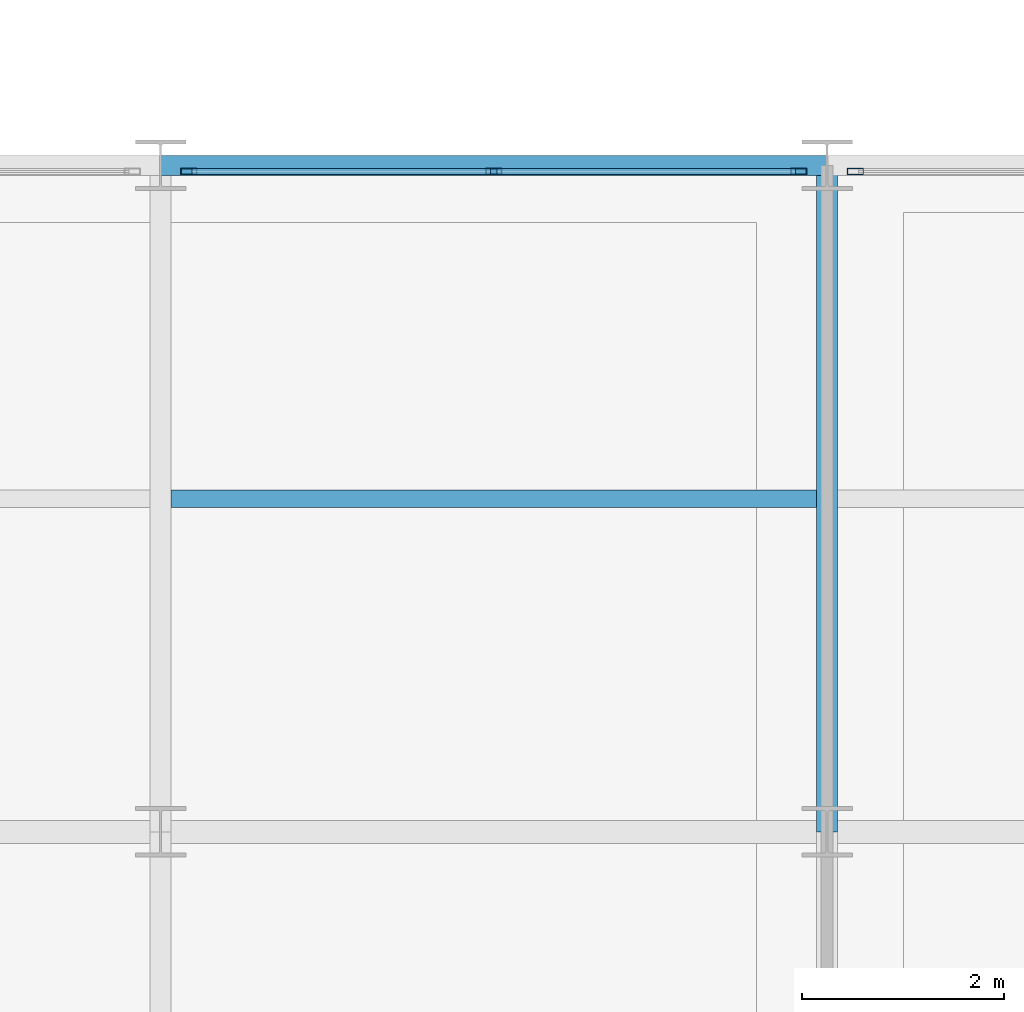
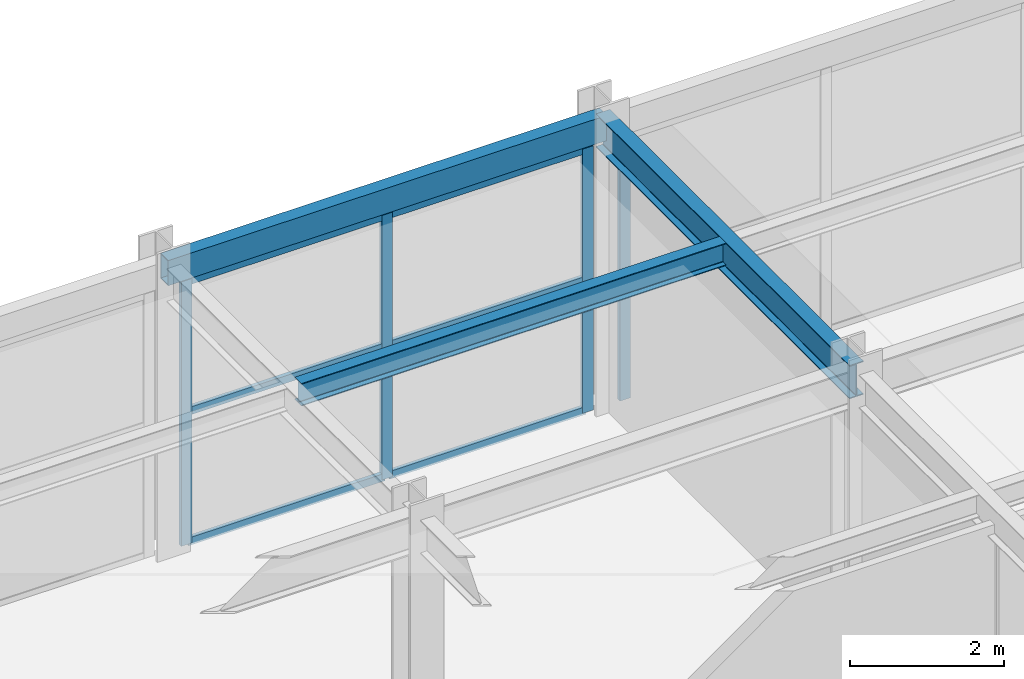
# One storey, part 94 of 144: 10 members, 3 beams, 2 elements without a shape of their own.
"""IFC4 building model written with IfcOpenShell, lengths in metres."""

from ifc_helpers import new_model, si_unit, direction, frame, origin, origin_2d, place, context, subcontext, project, spatial, hollow_rectangle, i_section, extrude, material, material_profile, profile_set, type_object, element, aggregate, save


model = new_model("IFC4")

# Units and contexts
model_context = context("Model", 3, precision=1e-05, world=origin(), true_north=direction((0.0, 1.0)))
body_context = subcontext(model_context, "Body", "Model", "MODEL_VIEW")
ifc_project = project(units=[si_unit("LENGTHUNIT", "METRE"), si_unit("AREAUNIT", "SQUARE_METRE"), si_unit("VOLUMEUNIT", "CUBIC_METRE"), si_unit("PLANEANGLEUNIT", "RADIAN"), si_unit("MASSUNIT", "GRAM", prefix="KILO")], contexts=[model_context])

# Site, building, storey
site_placement = place(None, origin())
site = spatial("IfcSite", under=ifc_project, at=site_placement, CompositionType="ELEMENT")
building_placement = place(site_placement, origin())
building = spatial("IfcBuilding", under=site, at=building_placement, Name="Karori Crest Natural Sciences Institute", CompositionType="ELEMENT")
storey_placement = place(building_placement, origin())
storey = spatial("IfcBuildingStorey", under=building, at=storey_placement, Name="L00", CompositionType="ELEMENT", Elevation=0.0)

# Beams
ifc_material_1 = material(Name="Structural steel AS/NZS 3679.1 Grade 350", Category="steel")
ifc_material_profile_1 = material_profile(ifc_material_1, i_section(OverallWidth=0.208984375, OverallDepth=0.532958984375, WebThickness=0.01025390625, FlangeThickness=0.015625, FilletRadius=0.013916015625, at=origin_2d()), Name="530UB92.4")
ifc_profile_set_1 = profile_set([ifc_material_profile_1], Name="Structural steel AS/NZS 3679.1 Grade 350")
beam_type_1 = type_object("IfcBeamType", Name="BT-05", PredefinedType="BEAM", material=ifc_profile_set_1)
beam_1_placement = place(storey_placement, frame((143.199951171875, 14.0, 4.353515625), z_axis=(0.0, 1.0, 0.0), x_axis=(-1.0, 0.0, 0.0)))
element("IfcBeam", 1, at=beam_1_placement, inside=storey, type_object=beam_type_1, Name="Beam B-2075", PredefinedType="BEAM", context=body_context, shape_type="SweptSolid", body=[
    extrude(i_section(OverallWidth=0.208984375, OverallDepth=0.532958984375, WebThickness=0.01025390625, FlangeThickness=0.015625, FilletRadius=0.013916015625, at=origin_2d()), origin(), (0.0, 0.0, 1.0), 6.60009765625),
])
ifc_material_profile_2 = material_profile(ifc_material_1, i_section(OverallWidth=0.172119140625, OverallDepth=0.35888671875, WebThickness=0.008056640625, FlangeThickness=0.012939453125, FilletRadius=0.010986328125, at=origin_2d()), Name="360UB56.7")
ifc_profile_set_2 = profile_set([ifc_material_profile_2], Name="Structural steel AS/NZS 3679.1 Grade 350")
beam_type_2 = type_object("IfcBeamType", Name="BT-08", PredefinedType="BEAM", material=ifc_profile_set_2)
beam_2_placement = place(storey_placement, frame((136.70458984375, 17.300048828125, 4.4404296875), z_axis=(1.0, 0.0, 0.0), x_axis=(0.0, 1.0, 0.0)))
element("IfcBeam", 2, at=beam_2_placement, inside=storey, type_object=beam_type_2, Name="Beam B-2099", PredefinedType="BEAM", context=body_context, shape_type="SweptSolid", body=[
    extrude(i_section(OverallWidth=0.172119140625, OverallDepth=0.35888671875, WebThickness=0.008056640625, FlangeThickness=0.012939453125, FilletRadius=0.010986328125, at=origin_2d()), origin(), (0.0, 0.0, 1.0), 6.390869140625),
])
ifc_material_2 = material(Name="Hollow structural steel AS/NZS 1163 Grade C350", Category="steel")
ifc_material_profile_3 = material_profile(ifc_material_2, hollow_rectangle(XDim=0.199951171875, YDim=0.39990234375, WallThickness=0.012451171875, at=origin_2d()), Name="RHS400x200x12.5")
ifc_profile_set_3 = profile_set([ifc_material_profile_3], Name="Hollow structural steel AS/NZS 1163 Grade C350")
beam_type_3 = type_object("IfcBeamType", Name="BT-14", PredefinedType="SPANDREL", material=ifc_profile_set_3)
beam_3_placement = place(storey_placement, frame((136.60009765625, 20.60009765625, 4.419921875), z_axis=(1.0, 0.0, 0.0), x_axis=(0.0, 1.0, 0.0)))
element("IfcBeam", 3, at=beam_3_placement, inside=storey, type_object=beam_type_3, Name="Beam B-2051", PredefinedType="SPANDREL", context=body_context, shape_type="SweptSolid", body=[
    extrude(hollow_rectangle(XDim=0.199951171875, YDim=0.39990234375, WallThickness=0.012451171875, at=origin_2d()), origin(), (0.0, 0.0, 1.0), 6.599853515625),
])

# Curtain wall, members
ifc_material_3 = material(Name="Anodised architectural aluminium 6063-T6", Category="aluminium")
curtain_wall_type = type_object("IfcCurtainWallType", Name="CWT-20", PredefinedType="NOTDEFINED", material=ifc_material_3)
curtain_wall_1_placement = place(storey_placement, origin())
curtain_wall_1 = element("IfcCurtainWall", 4, at=curtain_wall_1_placement, inside=storey, type_object=curtain_wall_type, Name="Curtain wall CW-0300", PredefinedType="NOTDEFINED")
ifc_material_profile_4 = material_profile(ifc_material_3, hollow_rectangle(XDim=0.06494140625, YDim=0.159912109375, WallThickness=0.00390625, at=origin_2d()), Name="CWM160x65x4")
ifc_profile_set_4 = profile_set([ifc_material_profile_4], Name="Anodised architectural aluminium 6063-T6")
member_type_1 = type_object("IfcMemberType", Name="CWM-01", PredefinedType="MULLION", material=ifc_profile_set_4)
member_1_placement = place(storey_placement, frame((136.880615234375, 20.5400390625, 0.0), z_axis=(0.0, 0.0, 1.0), x_axis=(0.0, 1.0, 0.0)))
member_1 = element("IfcMember", 5, at=member_1_placement, type_object=member_type_1, Name="CW-0300 mullion 1", PredefinedType="MULLION", context=body_context, shape_type="SweptSolid", body=[
    extrude(hollow_rectangle(XDim=0.06494140625, YDim=0.159912109375, WallThickness=0.00390625, at=origin_2d()), origin(), (0.0, 0.0, 1.0), 4.205078125),
])
member_2_placement = place(storey_placement, frame((139.89990234375, 20.5400390625, 0.0), z_axis=(0.0, 0.0, 1.0), x_axis=(0.0, 1.0, 0.0)))
member_2 = element("IfcMember", 6, at=member_2_placement, type_object=member_type_1, Name="CW-0300 mullion 2", PredefinedType="MULLION", context=body_context, shape_type="SweptSolid", body=[
    extrude(hollow_rectangle(XDim=0.06494140625, YDim=0.159912109375, WallThickness=0.00390625, at=origin_2d()), origin(), (0.0, 0.0, 1.0), 4.205078125),
])
member_3_placement = place(storey_placement, frame((142.91943359375, 20.5400390625, 0.0), z_axis=(0.0, 0.0, 1.0), x_axis=(0.0, 1.0, 0.0)))
member_3 = element("IfcMember", 7, at=member_3_placement, type_object=member_type_1, Name="CW-0300 mullion 3", PredefinedType="MULLION", context=body_context, shape_type="SweptSolid", body=[
    extrude(hollow_rectangle(XDim=0.06494140625, YDim=0.159912109375, WallThickness=0.00390625, at=origin_2d()), origin(), (0.0, 0.0, 1.0), 4.205078125),
])

# Curtain wall, member
curtain_wall_2_placement = place(storey_placement, origin())
curtain_wall_2 = element("IfcCurtainWall", 8, at=curtain_wall_2_placement, inside=storey, type_object=curtain_wall_type, Name="Curtain wall CW-0301", PredefinedType="NOTDEFINED")
member_4_placement = place(storey_placement, frame((143.48046875, 20.5400390625, 0.0), z_axis=(0.0, 0.0, 1.0), x_axis=(0.0, 1.0, 0.0)))
member_4 = element("IfcMember", 9, at=member_4_placement, type_object=member_type_1, Name="CW-0301 mullion 1", PredefinedType="MULLION", context=body_context, shape_type="SweptSolid", body=[
    extrude(hollow_rectangle(XDim=0.06494140625, YDim=0.159912109375, WallThickness=0.00390625, at=origin_2d()), origin(), (0.0, 0.0, 1.0), 4.205078125),
])
aggregate(curtain_wall_2, [member_4])

# Member
ifc_material_profile_5 = material_profile(ifc_material_3, hollow_rectangle(XDim=0.06005859375, YDim=0.1201171875, WallThickness=0.00390625, at=origin_2d()), Name="CWT120x60x4")
ifc_profile_set_5 = profile_set([ifc_material_profile_5], Name="Anodised architectural aluminium 6063-T6")
member_type_2 = type_object("IfcMemberType", Name="CWT-TR1", PredefinedType="USERDEFINED", material=ifc_profile_set_5)
member_5_placement = place(storey_placement, frame((136.9130859375, 20.5400390625, 0.030029296875), z_axis=(1.0, 0.0, 0.0), x_axis=(0.0, 1.0, 0.0)))
member_5 = element("IfcMember", 10, at=member_5_placement, type_object=member_type_2, Name="CW-0300 transom 1.1", ObjectType="TRANSOM", PredefinedType="USERDEFINED", context=body_context, shape_type="SweptSolid", body=[
    extrude(hollow_rectangle(XDim=0.06005859375, YDim=0.1201171875, WallThickness=0.00390625, at=origin_2d()), origin(), (0.0, 0.0, 1.0), 2.954345703125),
])

member_6_placement = place(storey_placement, frame((136.9130859375, 20.5400390625, 2.1025390625), z_axis=(1.0, 0.0, 0.0), x_axis=(0.0, 1.0, 0.0)))
member_6 = element("IfcMember", 11, at=member_6_placement, type_object=member_type_2, Name="CW-0300 transom 1.2", ObjectType="TRANSOM", PredefinedType="USERDEFINED", context=body_context, shape_type="SweptSolid", body=[
    extrude(hollow_rectangle(XDim=0.06005859375, YDim=0.1201171875, WallThickness=0.00390625, at=origin_2d()), origin(), (0.0, 0.0, 1.0), 2.954345703125),
])

member_7_placement = place(storey_placement, frame((136.9130859375, 20.5400390625, 4.175048828125), z_axis=(1.0, 0.0, 0.0), x_axis=(0.0, 1.0, 0.0)))
member_7 = element("IfcMember", 12, at=member_7_placement, type_object=member_type_2, Name="CW-0300 transom 1.3", ObjectType="TRANSOM", PredefinedType="USERDEFINED", context=body_context, shape_type="SweptSolid", body=[
    extrude(hollow_rectangle(XDim=0.06005859375, YDim=0.1201171875, WallThickness=0.00390625, at=origin_2d()), origin(), (0.0, 0.0, 1.0), 2.954345703125),
])

member_8_placement = place(storey_placement, frame((139.9326171875, 20.5400390625, 0.030029296875), z_axis=(1.0, 0.0, 0.0), x_axis=(0.0, 1.0, 0.0)))
member_8 = element("IfcMember", 13, at=member_8_placement, type_object=member_type_2, Name="CW-0300 transom 2.1", ObjectType="TRANSOM", PredefinedType="USERDEFINED", context=body_context, shape_type="SweptSolid", body=[
    extrude(hollow_rectangle(XDim=0.06005859375, YDim=0.1201171875, WallThickness=0.00390625, at=origin_2d()), origin(), (0.0, 0.0, 1.0), 2.954345703125),
])

member_9_placement = place(storey_placement, frame((139.9326171875, 20.5400390625, 2.1025390625), z_axis=(1.0, 0.0, 0.0), x_axis=(0.0, 1.0, 0.0)))
member_9 = element("IfcMember", 14, at=member_9_placement, type_object=member_type_2, Name="CW-0300 transom 2.2", ObjectType="TRANSOM", PredefinedType="USERDEFINED", context=body_context, shape_type="SweptSolid", body=[
    extrude(hollow_rectangle(XDim=0.06005859375, YDim=0.1201171875, WallThickness=0.00390625, at=origin_2d()), origin(), (0.0, 0.0, 1.0), 2.954345703125),
])

member_10_placement = place(storey_placement, frame((139.9326171875, 20.5400390625, 4.175048828125), z_axis=(1.0, 0.0, 0.0), x_axis=(0.0, 1.0, 0.0)))
member_10 = element("IfcMember", 15, at=member_10_placement, type_object=member_type_2, Name="CW-0300 transom 2.3", ObjectType="TRANSOM", PredefinedType="USERDEFINED", context=body_context, shape_type="SweptSolid", body=[
    extrude(hollow_rectangle(XDim=0.06005859375, YDim=0.1201171875, WallThickness=0.00390625, at=origin_2d()), origin(), (0.0, 0.0, 1.0), 2.954345703125),
])

aggregate(curtain_wall_1, [member_1, member_2, member_3, member_5, member_6, member_7, member_8, member_9, member_10])

save(model, "model.ifc")
